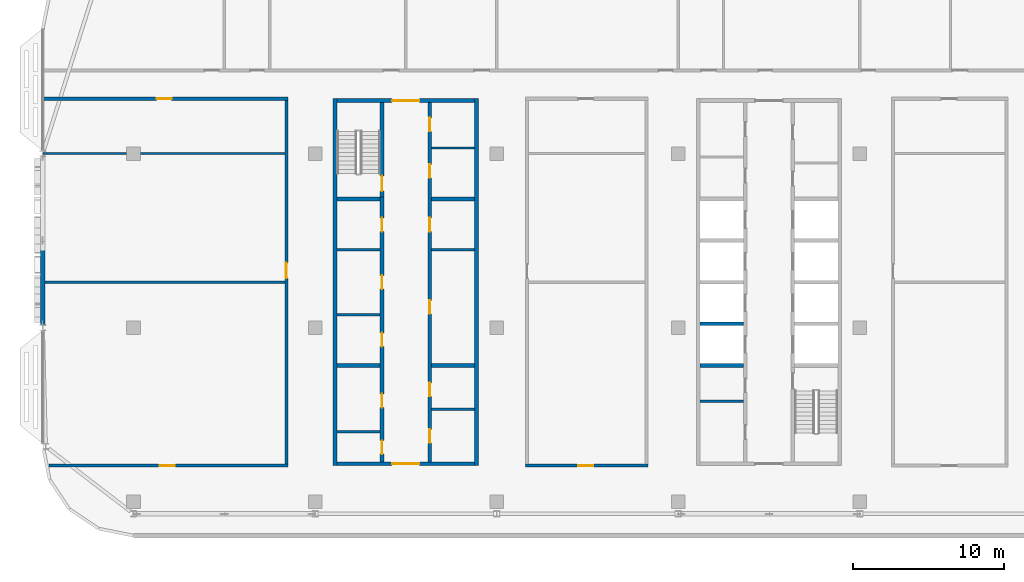
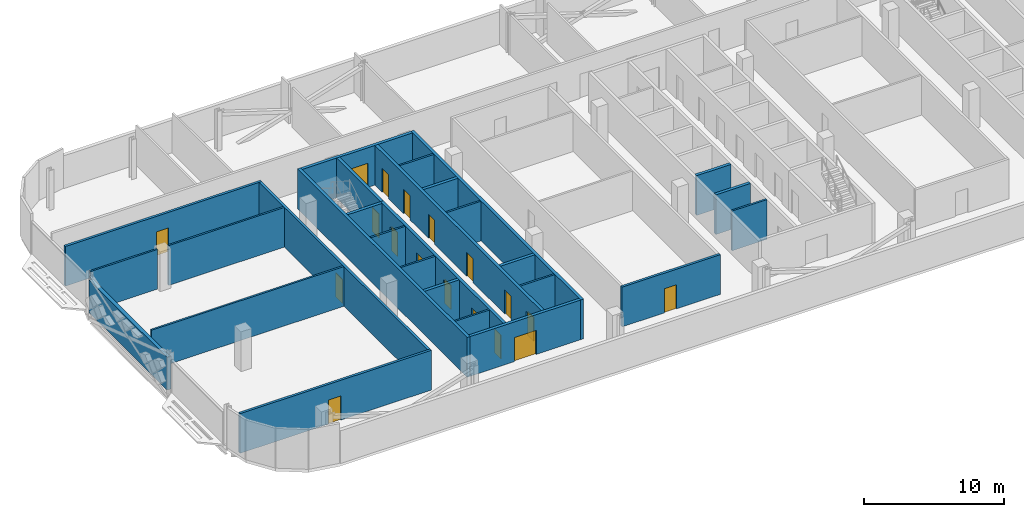
# One storey, part 13 of 28: 28 walls, 18 doors, 18 openings.
"""IFC4 building model written with IfcOpenShell, lengths in metres."""

from ifc_helpers import new_model, si_unit, direction, frame, frame_2d, origin, place, context, subcontext, project, spatial, rectangle, extrude, material, layer, layer_set, type_object, element, fill, save


model = new_model("IFC4")

# Units and contexts
model_context = context("Model", 3, precision=1e-05, world=origin(), true_north=direction((0.0, 1.0)))
body_context = subcontext(model_context, "Body", "Model", "MODEL_VIEW")
ifc_project = project(units=[si_unit("LENGTHUNIT", "METRE"), si_unit("AREAUNIT", "SQUARE_METRE"), si_unit("VOLUMEUNIT", "CUBIC_METRE"), si_unit("PLANEANGLEUNIT", "RADIAN"), si_unit("MASSUNIT", "GRAM", prefix="KILO")], contexts=[model_context])

# Site, building, storey
site_placement = place(None, origin())
site = spatial("IfcSite", under=ifc_project, at=site_placement, CompositionType="ELEMENT")
building_placement = place(site_placement, origin())
building = spatial("IfcBuilding", under=site, at=building_placement, Name="Mahtab Terrace Research Tower", CompositionType="ELEMENT")
storey_placement = place(building_placement, frame((0.0, 0.0, 267.10009765625)))
storey = spatial("IfcBuildingStorey", under=building, at=storey_placement, Name="L65", CompositionType="ELEMENT", Elevation=267.10009765625)

# Walls
ifc_material_1 = material(Name="Gypsum board partition")
ifc_layer_1 = layer(ifc_material_1, 0.14990234375)
ifc_layer_set_1 = layer_set([ifc_layer_1], Name="Core partition 150")
wall_type_1 = type_object("IfcWallType", Name="Core partition 150", PredefinedType="PARTITIONING", material=ifc_layer_set_1)
for number, where, z_axis, x_axis, name in (
    (1, (-28.550048828125, 0.85009765625, 0.0), (0.0, 0.0, 1.0), (1.0, 0.0, 0.0), "Core wall A pWL-215"),
    (2, (-28.550048828125, 5.14990234375, 0.0), (0.0, 0.0, 1.0), (1.0, 0.0, 0.0), "Core wall A pWL215"),
    (3, (-22.300048828125, 5.14990234375, 0.0), (0.0, 0.0, 1.0), (1.0, 0.0, 0.0), "Core wall A pEL215"),
    (4, (-28.550048828125, -6.875, 0.0), (0.0, 0.0, 1.0), (1.0, 0.0, 0.0), "Core wall A pWS-988"),
    (5, (-22.300048828125, -5.39501953125, 0.0), (0.0, 0.0, 1.0), (1.0, 0.0, 0.0), "Core wall A pES-840"),
    (6, (-22.300048828125, 11.875, 0.0), (0.0, 0.0, 1.0), (1.0, 0.0, 0.0), "Core wall A pEN888"),
    (7, (-4.550048828125, -4.875, 0.0), (0.0, 0.0, 1.0), (1.0, 0.0, 0.0), "Core wall B pWS-788"),
):
    element("IfcWall", number, at=place(storey_placement, frame(where, z_axis=z_axis, x_axis=x_axis)), inside=storey, type_object=wall_type_1, Name=name, PredefinedType="PARTITIONING", context=body_context, shape_type="SweptSolid", body=[
        extrude(rectangle(XDim=2.85009765625, YDim=0.14990234375, at=frame_2d((1.425048828125, 0.0))), origin(), (0.0, 0.0, 1.0), 3.4599609375),
    ])
ifc_material_2 = material(Name="Concrete C70/85", Category="concrete")
ifc_layer_2 = layer(ifc_material_2, 0.25)
ifc_layer_set_2 = layer_set([ifc_layer_2], Name="Core wall 250")
wall_type_2 = type_object("IfcWallType", Name="Core wall 250", PredefinedType="SOLIDWALL", material=ifc_layer_set_2)
for number, where, z_axis, x_axis, name in (
    (8, (-28.675048828125, 15.125, 0.0), (0.0, 0.0, 1.0), (0.0, -1.0, 0.0), "Core wall A outerW"),
    (9, (-19.324951171875, -9.125, 0.0), (0.0, 0.0, 1.0), (0.0, 1.0, 0.0), "Core wall A outerE"),
):
    element("IfcWall", number, at=place(storey_placement, frame(where, z_axis=z_axis, x_axis=x_axis)), inside=storey, type_object=wall_type_2, Name=name, PredefinedType="SOLIDWALL", context=body_context, shape_type="SweptSolid", body=[
        extrude(rectangle(XDim=24.25, YDim=0.25, at=frame_2d((12.125, 0.0))), origin(), (0.0, 0.0, 1.0), 3.4599609375),
    ])

# Wall, opening, door
wall_1_placement = place(storey_placement, frame((-19.449951171875, -9.0, 0.0), z_axis=(0.0, 0.0, 1.0), x_axis=(-1.0, 0.0, 0.0)))
wall_1 = element("IfcWall", 10, at=wall_1_placement, inside=storey, type_object=wall_type_2, Name="Core wall A endS", PredefinedType="SOLIDWALL", context=body_context, shape_type="SweptSolid", body=[
    extrude(rectangle(XDim=9.10009765625, YDim=0.25, at=frame_2d((4.550048828125, 0.0))), origin(), (0.0, 0.0, 1.0), 3.4599609375),
])
opening_1_placement = place(wall_1_placement, frame((3.64990234375, 0.0, 0.0)))
opening_1 = element("IfcOpeningElement", 11, at=opening_1_placement, cuts=wall_1, Name="Opening A-S1", PredefinedType="OPENING", context=body_context, shape_type="SweptSolid", body=[
    extrude(rectangle(XDim=1.800048828125, YDim=2.10009765625, at=frame_2d((0.89990234375, 1.050048828125))), frame((0.0, 0.135009765625, 0.0), z_axis=(0.0, -1.0, 0.0), x_axis=(1.0, 0.0, 0.0)), (0.0, 0.0, 1.0), 0.27001953125),
])
ifc_material_3 = material(Name="Steel fire door", Category="steel")
door_type_1 = type_object("IfcDoorType", Name="Lobby double door 1800x2100 1 HR", OperationType="DOUBLE_DOOR_SINGLE_SWING", PredefinedType="DOOR", material=ifc_material_3)
door_1_placement = place(opening_1_placement, origin())
door_1 = element("IfcDoor", 12, at=door_1_placement, inside=storey, type_object=door_type_1, Name="Core entrance door A S", OperationType="DOUBLE_DOOR_SINGLE_SWING", OverallHeight=2.10009765625, OverallWidth=1.800048828125, PredefinedType="DOOR", context=body_context, shape_type="SweptSolid", body=[
    extrude(rectangle(XDim=1.800048828125, YDim=2.10009765625, at=frame_2d((0.89990234375, 1.050048828125))), frame((0.0, 0.02490234375, 0.0), z_axis=(0.0, -1.0, 0.0), x_axis=(1.0, 0.0, 0.0)), (0.0, 0.0, 1.0), 0.050048828125),
])
fill(opening_1, door_1)

wall_2_placement = place(storey_placement, frame((-28.550048828125, 15.0, 0.0), z_axis=(0.0, 0.0, 1.0), x_axis=(1.0, 0.0, 0.0)))
wall_2 = element("IfcWall", 13, at=wall_2_placement, inside=storey, type_object=wall_type_2, Name="Core wall A endN", PredefinedType="SOLIDWALL", context=body_context, shape_type="SweptSolid", body=[
    extrude(rectangle(XDim=9.10009765625, YDim=0.25, at=frame_2d((4.550048828125, 0.0))), origin(), (0.0, 0.0, 1.0), 3.4599609375),
])
opening_2_placement = place(wall_2_placement, frame((3.64990234375, 0.0, 0.0)))
opening_2 = element("IfcOpeningElement", 14, at=opening_2_placement, cuts=wall_2, Name="Opening A-N1", PredefinedType="OPENING", context=body_context, shape_type="SweptSolid", body=[
    extrude(rectangle(XDim=1.800048828125, YDim=2.10009765625, at=frame_2d((0.89990234375, 1.050048828125))), frame((0.0, 0.135009765625, 0.0), z_axis=(0.0, -1.0, 0.0), x_axis=(1.0, 0.0, 0.0)), (0.0, 0.0, 1.0), 0.27001953125),
])
door_2_placement = place(opening_2_placement, origin())
door_2 = element("IfcDoor", 15, at=door_2_placement, inside=storey, type_object=door_type_1, Name="Core entrance door A N", OperationType="DOUBLE_DOOR_SINGLE_SWING", OverallHeight=2.10009765625, OverallWidth=1.800048828125, PredefinedType="DOOR", context=body_context, shape_type="SweptSolid", body=[
    extrude(rectangle(XDim=1.800048828125, YDim=2.10009765625, at=frame_2d((0.89990234375, 1.050048828125))), frame((0.0, 0.02490234375, 0.0), z_axis=(0.0, -1.0, 0.0), x_axis=(1.0, 0.0, 0.0)), (0.0, 0.0, 1.0), 0.050048828125),
])
fill(opening_2, door_2)

# Wall, openings, doors
wall_3_placement = place(storey_placement, frame((-25.574951171875, -8.875, 0.0), z_axis=(0.0, 0.0, 1.0), x_axis=(0.0, 1.0, 0.0)))
wall_3 = element("IfcWall", 16, at=wall_3_placement, inside=storey, type_object=wall_type_2, Name="Core wall A innerWSL", PredefinedType="SOLIDWALL", context=body_context, shape_type="SweptSolid", body=[
    extrude(rectangle(XDim=17.5, YDim=0.25, at=frame_2d((8.75, 0.0))), origin(), (0.0, 0.0, 1.0), 3.4599609375),
])
opening_3_placement = place(wall_3_placement, frame((7.625, 0.0, 0.0)))
opening_3 = element("IfcOpeningElement", 17, at=opening_3_placement, cuts=wall_3, Name="Opening A-R1", PredefinedType="OPENING", context=body_context, shape_type="SweptSolid", body=[
    extrude(rectangle(XDim=0.89990234375, YDim=2.10009765625, at=frame_2d((0.449951171875, 1.050048828125))), frame((0.0, 0.135009765625, 0.0), z_axis=(0.0, -1.0, 0.0), x_axis=(1.0, 0.0, 0.0)), (0.0, 0.0, 1.0), 0.27001953125),
])
opening_4_placement = place(wall_3_placement, frame((11.425048828125, 0.0, 0.0)))
opening_4 = element("IfcOpeningElement", 18, at=opening_4_placement, cuts=wall_3, Name="Opening A-R2", PredefinedType="OPENING", context=body_context, shape_type="SweptSolid", body=[
    extrude(rectangle(XDim=0.89990234375, YDim=2.10009765625, at=frame_2d((0.449951171875, 1.050048828125))), frame((0.0, 0.135009765625, 0.0), z_axis=(0.0, -1.0, 0.0), x_axis=(1.0, 0.0, 0.0)), (0.0, 0.0, 1.0), 0.27001953125),
])
opening_5_placement = place(wall_3_placement, frame((15.22509765625, 0.0, 0.0)))
opening_5 = element("IfcOpeningElement", 19, at=opening_5_placement, cuts=wall_3, Name="Opening A-R3", PredefinedType="OPENING", context=body_context, shape_type="SweptSolid", body=[
    extrude(rectangle(XDim=0.89990234375, YDim=2.10009765625, at=frame_2d((0.449951171875, 1.050048828125))), frame((0.0, 0.135009765625, 0.0), z_axis=(0.0, -1.0, 0.0), x_axis=(1.0, 0.0, 0.0)), (0.0, 0.0, 1.0), 0.27001953125),
])
opening_6_placement = place(wall_3_placement, frame((0.512451171875, 0.0, 0.0)))
opening_6 = element("IfcOpeningElement", 20, at=opening_6_placement, cuts=wall_3, Name="Opening A-R6", PredefinedType="OPENING", context=body_context, shape_type="SweptSolid", body=[
    extrude(rectangle(XDim=0.89990234375, YDim=2.10009765625, at=frame_2d((0.449951171875, 1.050048828125))), frame((0.0, 0.135009765625, 0.0), z_axis=(0.0, -1.0, 0.0), x_axis=(1.0, 0.0, 0.0)), (0.0, 0.0, 1.0), 0.27001953125),
])
opening_7_placement = place(wall_3_placement, frame((3.58740234375, 0.0, 0.0)))
opening_7 = element("IfcOpeningElement", 21, at=opening_7_placement, cuts=wall_3, Name="Opening A-R7", PredefinedType="OPENING", context=body_context, shape_type="SweptSolid", body=[
    extrude(rectangle(XDim=0.89990234375, YDim=2.10009765625, at=frame_2d((0.449951171875, 1.050048828125))), frame((0.0, 0.135009765625, 0.0), z_axis=(0.0, -1.0, 0.0), x_axis=(1.0, 0.0, 0.0)), (0.0, 0.0, 1.0), 0.27001953125),
])
door_type_2 = type_object("IfcDoorType", Name="Room door 900x2100 1 HR", OperationType="NOTDEFINED", PredefinedType="DOOR", material=ifc_material_3)
door_3_placement = place(opening_3_placement, origin())
door_3 = element("IfcDoor", 22, at=door_3_placement, inside=storey, type_object=door_type_2, Name="Electrical room door", OperationType="SINGLE_SWING_LEFT", OverallHeight=2.10009765625, OverallWidth=0.89990234375, PredefinedType="DOOR", context=body_context, shape_type="SweptSolid", body=[
    extrude(rectangle(XDim=0.89990234375, YDim=2.10009765625, at=frame_2d((0.449951171875, 1.050048828125))), frame((0.0, 0.02490234375, 0.0), z_axis=(0.0, -1.0, 0.0), x_axis=(1.0, 0.0, 0.0)), (0.0, 0.0, 1.0), 0.050048828125),
])
fill(opening_3, door_3)
door_4_placement = place(opening_4_placement, origin())
door_4 = element("IfcDoor", 23, at=door_4_placement, inside=storey, type_object=door_type_2, Name="Pantry door", OperationType="SINGLE_SWING_RIGHT", OverallHeight=2.10009765625, OverallWidth=0.89990234375, PredefinedType="DOOR", context=body_context, shape_type="SweptSolid", body=[
    extrude(rectangle(XDim=0.89990234375, YDim=2.10009765625, at=frame_2d((0.449951171875, 1.050048828125))), frame((0.0, 0.02490234375, 0.0), z_axis=(0.0, -1.0, 0.0), x_axis=(1.0, 0.0, 0.0)), (0.0, 0.0, 1.0), 0.050048828125),
])
fill(opening_4, door_4)
door_5_placement = place(opening_5_placement, origin())
door_5 = element("IfcDoor", 24, at=door_5_placement, inside=storey, type_object=door_type_2, Name="Housekeeping store door", OperationType="SINGLE_SWING_LEFT", OverallHeight=2.10009765625, OverallWidth=0.89990234375, PredefinedType="DOOR", context=body_context, shape_type="SweptSolid", body=[
    extrude(rectangle(XDim=0.89990234375, YDim=2.10009765625, at=frame_2d((0.449951171875, 1.050048828125))), frame((0.0, 0.02490234375, 0.0), z_axis=(0.0, -1.0, 0.0), x_axis=(1.0, 0.0, 0.0)), (0.0, 0.0, 1.0), 0.050048828125),
])
fill(opening_5, door_5)
door_6_placement = place(opening_6_placement, origin())
door_6 = element("IfcDoor", 25, at=door_6_placement, inside=storey, type_object=door_type_2, Name="Accessible WC door", OperationType="SINGLE_SWING_RIGHT", OverallHeight=2.10009765625, OverallWidth=0.89990234375, PredefinedType="DOOR", context=body_context, shape_type="SweptSolid", body=[
    extrude(rectangle(XDim=0.89990234375, YDim=2.10009765625, at=frame_2d((0.449951171875, 1.050048828125))), frame((0.0, 0.02490234375, 0.0), z_axis=(0.0, -1.0, 0.0), x_axis=(1.0, 0.0, 0.0)), (0.0, 0.0, 1.0), 0.050048828125),
])
fill(opening_6, door_6)
door_7_placement = place(opening_7_placement, origin())
door_7 = element("IfcDoor", 26, at=door_7_placement, inside=storey, type_object=door_type_2, Name="WC block door", OperationType="SINGLE_SWING_LEFT", OverallHeight=2.10009765625, OverallWidth=0.89990234375, PredefinedType="DOOR", context=body_context, shape_type="SweptSolid", body=[
    extrude(rectangle(XDim=0.89990234375, YDim=2.10009765625, at=frame_2d((0.449951171875, 1.050048828125))), frame((0.0, 0.02490234375, 0.0), z_axis=(0.0, -1.0, 0.0), x_axis=(1.0, 0.0, 0.0)), (0.0, 0.0, 1.0), 0.050048828125),
])
fill(opening_7, door_7)

# Wall, opening, door
wall_4_placement = place(storey_placement, frame((-25.574951171875, 14.875, 0.0), z_axis=(0.0, 0.0, 1.0), x_axis=(0.0, -1.0, 0.0)))
wall_4 = element("IfcWall", 27, at=wall_4_placement, inside=storey, type_object=wall_type_2, Name="Core wall A innerWN", PredefinedType="SOLIDWALL", context=body_context, shape_type="SweptSolid", body=[
    extrude(rectangle(XDim=6.25, YDim=0.25, at=frame_2d((3.125, 0.0))), origin(), (0.0, 0.0, 1.0), 3.4599609375),
])
opening_8_placement = place(wall_4_placement, frame((4.85009765625, 0.0, 0.0)))
opening_8 = element("IfcOpeningElement", 28, at=opening_8_placement, cuts=wall_4, Name="Opening A-ST1", PredefinedType="OPENING", context=body_context, shape_type="SweptSolid", body=[
    extrude(rectangle(XDim=1.0, YDim=2.10009765625, at=frame_2d((0.5, 1.050048828125))), frame((0.0, 0.135009765625, 0.0), z_axis=(0.0, -1.0, 0.0), x_axis=(1.0, 0.0, 0.0)), (0.0, 0.0, 1.0), 0.27001953125),
])
door_type_3 = type_object("IfcDoorType", Name="Stair door 1000x2100 1.5 HR", OperationType="NOTDEFINED", PredefinedType="DOOR", material=ifc_material_3)
door_8_placement = place(opening_8_placement, origin())
door_8 = element("IfcDoor", 29, at=door_8_placement, inside=storey, type_object=door_type_3, Name="Stair door ST1 L65", OperationType="SINGLE_SWING_RIGHT", OverallHeight=2.10009765625, OverallWidth=1.0, PredefinedType="DOOR", context=body_context, shape_type="SweptSolid", body=[
    extrude(rectangle(XDim=1.0, YDim=2.10009765625, at=frame_2d((0.5, 1.050048828125))), frame((0.0, 0.02490234375, 0.0), z_axis=(0.0, -1.0, 0.0), x_axis=(1.0, 0.0, 0.0)), (0.0, 0.0, 1.0), 0.050048828125),
])
fill(opening_8, door_8)

# Wall, openings, doors
wall_5_placement = place(storey_placement, frame((-22.425048828125, 14.875, 0.0), z_axis=(0.0, 0.0, 1.0), x_axis=(0.0, -1.0, 0.0)))
wall_5 = element("IfcWall", 30, at=wall_5_placement, inside=storey, type_object=wall_type_2, Name="Core wall A innerESLN", PredefinedType="SOLIDWALL", context=body_context, shape_type="SweptSolid", body=[
    extrude(rectangle(XDim=23.75, YDim=0.25, at=frame_2d((11.875, 0.0))), origin(), (0.0, 0.0, 1.0), 3.4599609375),
])
opening_9_placement = place(wall_5_placement, frame((13.074951171875, 0.0, 0.0)))
opening_9 = element("IfcOpeningElement", 31, at=opening_9_placement, cuts=wall_5, Name="Opening A-R4", PredefinedType="OPENING", context=body_context, shape_type="SweptSolid", body=[
    extrude(rectangle(XDim=0.89990234375, YDim=2.10009765625, at=frame_2d((0.449951171875, 1.050048828125))), frame((0.0, 0.135009765625, 0.0), z_axis=(0.0, -1.0, 0.0), x_axis=(1.0, 0.0, 0.0)), (0.0, 0.0, 1.0), 0.27001953125),
])
opening_10_placement = place(wall_5_placement, frame((7.625, 0.0, 0.0)))
opening_10 = element("IfcOpeningElement", 32, at=opening_10_placement, cuts=wall_5, Name="Opening A-R5", PredefinedType="OPENING", context=body_context, shape_type="SweptSolid", body=[
    extrude(rectangle(XDim=0.89990234375, YDim=2.10009765625, at=frame_2d((0.449951171875, 1.050048828125))), frame((0.0, 0.135009765625, 0.0), z_axis=(0.0, -1.0, 0.0), x_axis=(1.0, 0.0, 0.0)), (0.0, 0.0, 1.0), 0.27001953125),
])
opening_11_placement = place(wall_5_placement, frame((21.597412109375, 0.0, 0.0)))
opening_11 = element("IfcOpeningElement", 33, at=opening_11_placement, cuts=wall_5, Name="Opening A-R8", PredefinedType="OPENING", context=body_context, shape_type="SweptSolid", body=[
    extrude(rectangle(XDim=0.89990234375, YDim=2.10009765625, at=frame_2d((0.449951171875, 1.050048828125))), frame((0.0, 0.135009765625, 0.0), z_axis=(0.0, -1.0, 0.0), x_axis=(1.0, 0.0, 0.0)), (0.0, 0.0, 1.0), 0.27001953125),
])
opening_12_placement = place(wall_5_placement, frame((18.5224609375, 0.0, 0.0)))
opening_12 = element("IfcOpeningElement", 34, at=opening_12_placement, cuts=wall_5, Name="Opening A-R9", PredefinedType="OPENING", context=body_context, shape_type="SweptSolid", body=[
    extrude(rectangle(XDim=0.89990234375, YDim=2.10009765625, at=frame_2d((0.449951171875, 1.050048828125))), frame((0.0, 0.135009765625, 0.0), z_axis=(0.0, -1.0, 0.0), x_axis=(1.0, 0.0, 0.0)), (0.0, 0.0, 1.0), 0.27001953125),
])
opening_13_placement = place(wall_5_placement, frame((4.08740234375, 0.0, 0.0)))
opening_13 = element("IfcOpeningElement", 35, at=opening_13_placement, cuts=wall_5, Name="Opening A-R10", PredefinedType="OPENING", context=body_context, shape_type="SweptSolid", body=[
    extrude(rectangle(XDim=0.89990234375, YDim=2.10009765625, at=frame_2d((0.449951171875, 1.050048828125))), frame((0.0, 0.135009765625, 0.0), z_axis=(0.0, -1.0, 0.0), x_axis=(1.0, 0.0, 0.0)), (0.0, 0.0, 1.0), 0.27001953125),
])
opening_14_placement = place(wall_5_placement, frame((1.012451171875, 0.0, 0.0)))
opening_14 = element("IfcOpeningElement", 36, at=opening_14_placement, cuts=wall_5, Name="Opening A-R11", PredefinedType="OPENING", context=body_context, shape_type="SweptSolid", body=[
    extrude(rectangle(XDim=0.89990234375, YDim=2.10009765625, at=frame_2d((0.449951171875, 1.050048828125))), frame((0.0, 0.135009765625, 0.0), z_axis=(0.0, -1.0, 0.0), x_axis=(1.0, 0.0, 0.0)), (0.0, 0.0, 1.0), 0.27001953125),
])
door_9_placement = place(opening_9_placement, origin())
door_9 = element("IfcDoor", 37, at=door_9_placement, inside=storey, type_object=door_type_2, Name="Chemical store door", OperationType="SINGLE_SWING_RIGHT", OverallHeight=2.10009765625, OverallWidth=0.89990234375, PredefinedType="DOOR", context=body_context, shape_type="SweptSolid", body=[
    extrude(rectangle(XDim=0.89990234375, YDim=2.10009765625, at=frame_2d((0.449951171875, 1.050048828125))), frame((0.0, 0.02490234375, 0.0), z_axis=(0.0, -1.0, 0.0), x_axis=(1.0, 0.0, 0.0)), (0.0, 0.0, 1.0), 0.050048828125),
])
fill(opening_9, door_9)
door_10_placement = place(opening_10_placement, origin())
door_10 = element("IfcDoor", 38, at=door_10_placement, inside=storey, type_object=door_type_2, Name="Waste room door", OperationType="SINGLE_SWING_LEFT", OverallHeight=2.10009765625, OverallWidth=0.89990234375, PredefinedType="DOOR", context=body_context, shape_type="SweptSolid", body=[
    extrude(rectangle(XDim=0.89990234375, YDim=2.10009765625, at=frame_2d((0.449951171875, 1.050048828125))), frame((0.0, 0.02490234375, 0.0), z_axis=(0.0, -1.0, 0.0), x_axis=(1.0, 0.0, 0.0)), (0.0, 0.0, 1.0), 0.050048828125),
])
fill(opening_10, door_10)
door_11_placement = place(opening_11_placement, origin())
door_11 = element("IfcDoor", 39, at=door_11_placement, inside=storey, type_object=door_type_2, Name="Pantry door", OperationType="SINGLE_SWING_RIGHT", OverallHeight=2.10009765625, OverallWidth=0.89990234375, PredefinedType="DOOR", context=body_context, shape_type="SweptSolid", body=[
    extrude(rectangle(XDim=0.89990234375, YDim=2.10009765625, at=frame_2d((0.449951171875, 1.050048828125))), frame((0.0, 0.02490234375, 0.0), z_axis=(0.0, -1.0, 0.0), x_axis=(1.0, 0.0, 0.0)), (0.0, 0.0, 1.0), 0.050048828125),
])
fill(opening_11, door_11)
door_12_placement = place(opening_12_placement, origin())
door_12 = element("IfcDoor", 40, at=door_12_placement, inside=storey, type_object=door_type_2, Name="Linen store door", OperationType="SINGLE_SWING_LEFT", OverallHeight=2.10009765625, OverallWidth=0.89990234375, PredefinedType="DOOR", context=body_context, shape_type="SweptSolid", body=[
    extrude(rectangle(XDim=0.89990234375, YDim=2.10009765625, at=frame_2d((0.449951171875, 1.050048828125))), frame((0.0, 0.02490234375, 0.0), z_axis=(0.0, -1.0, 0.0), x_axis=(1.0, 0.0, 0.0)), (0.0, 0.0, 1.0), 0.050048828125),
])
fill(opening_12, door_12)
door_13_placement = place(opening_13_placement, origin())
door_13 = element("IfcDoor", 41, at=door_13_placement, inside=storey, type_object=door_type_2, Name="Housekeeping store door", OperationType="SINGLE_SWING_RIGHT", OverallHeight=2.10009765625, OverallWidth=0.89990234375, PredefinedType="DOOR", context=body_context, shape_type="SweptSolid", body=[
    extrude(rectangle(XDim=0.89990234375, YDim=2.10009765625, at=frame_2d((0.449951171875, 1.050048828125))), frame((0.0, 0.02490234375, 0.0), z_axis=(0.0, -1.0, 0.0), x_axis=(1.0, 0.0, 0.0)), (0.0, 0.0, 1.0), 0.050048828125),
])
fill(opening_13, door_13)
door_14_placement = place(opening_14_placement, origin())
door_14 = element("IfcDoor", 42, at=door_14_placement, inside=storey, type_object=door_type_2, Name="Electrical riser room door", OperationType="SINGLE_SWING_LEFT", OverallHeight=2.10009765625, OverallWidth=0.89990234375, PredefinedType="DOOR", context=body_context, shape_type="SweptSolid", body=[
    extrude(rectangle(XDim=0.89990234375, YDim=2.10009765625, at=frame_2d((0.449951171875, 1.050048828125))), frame((0.0, 0.02490234375, 0.0), z_axis=(0.0, -1.0, 0.0), x_axis=(1.0, 0.0, 0.0)), (0.0, 0.0, 1.0), 0.050048828125),
])
fill(opening_14, door_14)

# Walls
for number, where, z_axis, x_axis, name in (
    (43, (-28.550048828125, -2.5, 0.0), (0.0, 0.0, 1.0), (1.0, 0.0, 0.0), "Core wall A divW0"),
    (44, (-28.550048828125, 8.5, 0.0), (0.0, 0.0, 1.0), (1.0, 0.0, 0.0), "Core wall A divW4"),
    (45, (-22.300048828125, -2.5, 0.0), (0.0, 0.0, 1.0), (1.0, 0.0, 0.0), "Core wall A divE0"),
    (46, (-22.300048828125, 8.5, 0.0), (0.0, 0.0, 1.0), (1.0, 0.0, 0.0), "Core wall A divE4"),
    (47, (-4.550048828125, -2.5, 0.0), (0.0, 0.0, 1.0), (1.0, 0.0, 0.0), "Core wall B divW0"),
    (48, (-4.550048828125, 0.25, 0.0), (0.0, 0.0, 1.0), (1.0, 0.0, 0.0), "Core wall B divW1"),
):
    element("IfcWall", number, at=place(storey_placement, frame(where, z_axis=z_axis, x_axis=x_axis)), inside=storey, type_object=wall_type_2, Name=name, PredefinedType="SOLIDWALL", context=body_context, shape_type="SweptSolid", body=[
        extrude(rectangle(XDim=2.85009765625, YDim=0.25, at=frame_2d((1.425048828125, 0.0))), origin(), (0.0, 0.0, 1.0), 3.4599609375),
    ])
ifc_material_4 = material(Name="Black aluminium cladding panel", Category="aluminium")
ifc_layer_3 = layer(ifc_material_4, 0.300048828125)
ifc_layer_set_3 = layer_set([ifc_layer_3], Name="Opaque facade wall 300")
wall_type_3 = type_object("IfcWallType", Name="Opaque facade wall 300", PredefinedType="NOTDEFINED", material=ifc_layer_set_3)
wall_6_placement = place(storey_placement, frame((-48.0, 11.31201171875, 0.0), z_axis=(0.0, 0.0, 1.0), x_axis=(0.0, -1.0, 0.0)))
element("IfcWall", 49, at=wall_6_placement, inside=storey, type_object=wall_type_3, Name="Opaque facade wall L65 W9", PredefinedType="NOTDEFINED", context=body_context, shape_type="SweptSolid", body=[
    extrude(rectangle(XDim=11.1240234375, YDim=0.300048828125, at=frame_2d((5.56201171875, 0.0))), origin(), (0.0, 0.0, 1.0), 2.852783203125),
])

# Wall, opening, door
ifc_material_5 = material(Name="Gypsum board corridor wall on steel studs", Category="steel")
ifc_layer_4 = layer(ifc_material_5, 0.199951171875)
ifc_layer_set_4 = layer_set([ifc_layer_4], Name="WALL CORRIDOR 200")
wall_type_4 = type_object("IfcWallType", Name="WALL CORRIDOR 200", PredefinedType="PARTITIONING", material=ifc_layer_set_4)
wall_7_placement = place(storey_placement, frame((-47.57373046875, -9.125, 0.0), z_axis=(0.0, 0.0, 1.0), x_axis=(1.0, 0.0, 0.0)))
wall_7 = element("IfcWall", 50, at=wall_7_placement, inside=storey, type_object=wall_type_4, Name="L65-W001", PredefinedType="PARTITIONING", context=body_context, shape_type="SweptSolid", body=[
    extrude(rectangle(XDim=15.773681640625, YDim=0.199951171875, at=frame_2d((7.88671875, 0.0))), origin(), (0.0, 0.0, 1.0), 3.4599609375),
])
opening_15_placement = place(wall_7_placement, frame((7.300048828125, 0.0, 0.0)))
opening_15 = element("IfcOpeningElement", 51, at=opening_15_placement, cuts=wall_7, Name="Opening L65-101", PredefinedType="OPENING", context=body_context, shape_type="SweptSolid", body=[
    extrude(rectangle(XDim=1.0, YDim=2.10009765625, at=frame_2d((0.5, 1.050048828125))), frame((0.0, 0.10986328125, 0.0), z_axis=(0.0, -1.0, 0.0), x_axis=(1.0, 0.0, 0.0)), (0.0, 0.0, 1.0), 0.219970703125),
])
ifc_material_6 = material(Name="Timber door leaf in steel frame", Category="steel")
door_type_4 = type_object("IfcDoorType", Name="DOOR 1000X2100 FD30S", OperationType="SINGLE_SWING_LEFT", PredefinedType="DOOR", material=ifc_material_6)
door_15_placement = place(opening_15_placement, origin())
door_15 = element("IfcDoor", 52, at=door_15_placement, inside=storey, type_object=door_type_4, Name="Door L65-101", OperationType="SINGLE_SWING_LEFT", OverallHeight=2.10009765625, OverallWidth=1.0, PredefinedType="DOOR", context=body_context, shape_type="SweptSolid", body=[
    extrude(rectangle(XDim=1.0, YDim=2.10009765625, at=frame_2d((0.5, 1.050048828125))), frame((0.0, 0.02490234375, 0.0), z_axis=(0.0, -1.0, 0.0), x_axis=(1.0, 0.0, 0.0)), (0.0, 0.0, 1.0), 0.050048828125),
])
fill(opening_15, door_15)

wall_8_placement = place(storey_placement, frame((-16.10009765625, -9.125, 0.0), z_axis=(0.0, 0.0, 1.0), x_axis=(1.0, 0.0, 0.0)))
wall_8 = element("IfcWall", 53, at=wall_8_placement, inside=storey, type_object=wall_type_4, Name="L65-W002", PredefinedType="PARTITIONING", context=body_context, shape_type="SweptSolid", body=[
    extrude(rectangle(XDim=8.10009765625, YDim=0.199951171875, at=frame_2d((4.050048828125, 0.0))), origin(), (0.0, 0.0, 1.0), 3.4599609375),
])
opening_16_placement = place(wall_8_placement, frame((3.5, 0.0, 0.0)))
opening_16 = element("IfcOpeningElement", 54, at=opening_16_placement, cuts=wall_8, Name="Opening L65-102", PredefinedType="OPENING", context=body_context, shape_type="SweptSolid", body=[
    extrude(rectangle(XDim=1.0, YDim=2.10009765625, at=frame_2d((0.5, 1.050048828125))), frame((0.0, 0.10986328125, 0.0), z_axis=(0.0, -1.0, 0.0), x_axis=(1.0, 0.0, 0.0)), (0.0, 0.0, 1.0), 0.219970703125),
])
door_16_placement = place(opening_16_placement, origin())
door_16 = element("IfcDoor", 55, at=door_16_placement, inside=storey, type_object=door_type_4, Name="Door L65-102", OperationType="SINGLE_SWING_LEFT", OverallHeight=2.10009765625, OverallWidth=1.0, PredefinedType="DOOR", context=body_context, shape_type="SweptSolid", body=[
    extrude(rectangle(XDim=1.0, YDim=2.10009765625, at=frame_2d((0.5, 1.050048828125))), frame((0.0, 0.02490234375, 0.0), z_axis=(0.0, -1.0, 0.0), x_axis=(1.0, 0.0, 0.0)), (0.0, 0.0, 1.0), 0.050048828125),
])
fill(opening_16, door_16)

wall_9_placement = place(storey_placement, frame((-47.97509765625, 15.125, 0.0), z_axis=(0.0, 0.0, 1.0), x_axis=(1.0, 0.0, 0.0)))
wall_9 = element("IfcWall", 56, at=wall_9_placement, inside=storey, type_object=wall_type_4, Name="L65-W015", PredefinedType="PARTITIONING", context=body_context, shape_type="SweptSolid", body=[
    extrude(rectangle(XDim=16.175048828125, YDim=0.199951171875, at=frame_2d((8.08740234375, 0.0))), origin(), (0.0, 0.0, 1.0), 3.4599609375),
])
opening_17_placement = place(wall_9_placement, frame((7.5, 0.0, 0.0)))
opening_17 = element("IfcOpeningElement", 57, at=opening_17_placement, cuts=wall_9, Name="Opening L65-109", PredefinedType="OPENING", context=body_context, shape_type="SweptSolid", body=[
    extrude(rectangle(XDim=1.0, YDim=2.10009765625, at=frame_2d((0.5, 1.050048828125))), frame((0.0, 0.10986328125, 0.0), z_axis=(0.0, -1.0, 0.0), x_axis=(1.0, 0.0, 0.0)), (0.0, 0.0, 1.0), 0.219970703125),
])
door_17_placement = place(opening_17_placement, origin())
door_17 = element("IfcDoor", 58, at=door_17_placement, inside=storey, type_object=door_type_4, Name="Door L65-109", OperationType="SINGLE_SWING_RIGHT", OverallHeight=2.10009765625, OverallWidth=1.0, PredefinedType="DOOR", context=body_context, shape_type="SweptSolid", body=[
    extrude(rectangle(XDim=1.0, YDim=2.10009765625, at=frame_2d((0.5, 1.050048828125))), frame((0.0, 0.02490234375, 0.0), z_axis=(0.0, -1.0, 0.0), x_axis=(1.0, 0.0, 0.0)), (0.0, 0.0, 1.0), 0.050048828125),
])
fill(opening_17, door_17)

wall_10_placement = place(storey_placement, frame((-31.89990234375, -9.02490234375, 0.0), z_axis=(0.0, 0.0, 1.0), x_axis=(0.0, 1.0, 0.0)))
wall_10 = element("IfcWall", 59, at=wall_10_placement, inside=storey, type_object=wall_type_4, Name="L65-W022", PredefinedType="PARTITIONING", context=body_context, shape_type="SweptSolid", body=[
    extrude(rectangle(XDim=24.0498046875, YDim=0.199951171875, at=frame_2d((12.02490234375, 0.0))), origin(), (0.0, 0.0, 1.0), 3.4599609375),
])
opening_18_placement = place(wall_10_placement, frame((12.300048828125, 0.0, 0.0)))
opening_18 = element("IfcOpeningElement", 60, at=opening_18_placement, cuts=wall_10, Name="Opening L65-105", PredefinedType="OPENING", context=body_context, shape_type="SweptSolid", body=[
    extrude(rectangle(XDim=1.0, YDim=2.10009765625, at=frame_2d((0.5, 1.050048828125))), frame((0.0, 0.10986328125, 0.0), z_axis=(0.0, -1.0, 0.0), x_axis=(1.0, 0.0, 0.0)), (0.0, 0.0, 1.0), 0.219970703125),
])
door_18_placement = place(opening_18_placement, origin())
door_18 = element("IfcDoor", 61, at=door_18_placement, inside=storey, type_object=door_type_4, Name="Door L65-105", OperationType="SINGLE_SWING_RIGHT", OverallHeight=2.10009765625, OverallWidth=1.0, PredefinedType="DOOR", context=body_context, shape_type="SweptSolid", body=[
    extrude(rectangle(XDim=1.0, YDim=2.10009765625, at=frame_2d((0.5, 1.050048828125))), frame((0.0, 0.02490234375, 0.0), z_axis=(0.0, -1.0, 0.0), x_axis=(1.0, 0.0, 0.0)), (0.0, 0.0, 1.0), 0.050048828125),
])
fill(opening_18, door_18)

# Walls
ifc_material_7 = material(Name="Gypsum board partition on steel studs", Category="steel")
ifc_layer_5 = layer(ifc_material_7, 0.14990234375)
ifc_layer_set_5 = layer_set([ifc_layer_5], Name="WALL PARTITION 150")
wall_type_5 = type_object("IfcWallType", Name="WALL PARTITION 150", PredefinedType="PARTITIONING", material=ifc_layer_set_5)
wall_11_placement = place(storey_placement, frame((-47.85009765625, 3.0, 0.0), z_axis=(0.0, 0.0, 1.0), x_axis=(1.0, 0.0, 0.0)))
element("IfcWall", 62, at=wall_11_placement, inside=storey, type_object=wall_type_5, Name="L65-W005", PredefinedType="PARTITIONING", context=body_context, shape_type="SweptSolid", body=[
    extrude(rectangle(XDim=15.85009765625, YDim=0.14990234375, at=frame_2d((7.925048828125, 0.0))), origin(), (0.0, 0.0, 1.0), 3.4599609375),
])
wall_12_placement = place(storey_placement, frame((-47.97509765625, 11.5, 0.0), z_axis=(0.0, 0.0, 1.0), x_axis=(1.0, 0.0, 0.0)))
element("IfcWall", 63, at=wall_12_placement, inside=storey, type_object=wall_type_5, Name="L65-W009", PredefinedType="PARTITIONING", context=body_context, shape_type="SweptSolid", body=[
    extrude(rectangle(XDim=5.525146484375, YDim=0.14990234375, at=frame_2d((2.7626953125, 0.0))), origin(), (0.0, 0.0, 1.0), 3.4599609375),
])
wall_13_placement = place(storey_placement, frame((-41.550048828125, 11.5, 0.0), z_axis=(0.0, 0.0, 1.0), x_axis=(1.0, 0.0, 0.0)))
element("IfcWall", 64, at=wall_13_placement, inside=storey, type_object=wall_type_5, Name="L65-W010", PredefinedType="PARTITIONING", context=body_context, shape_type="SweptSolid", body=[
    extrude(rectangle(XDim=9.550048828125, YDim=0.14990234375, at=frame_2d((4.77490234375, 0.0))), origin(), (0.0, 0.0, 1.0), 3.4599609375),
])

save(model, "model.ifc")
